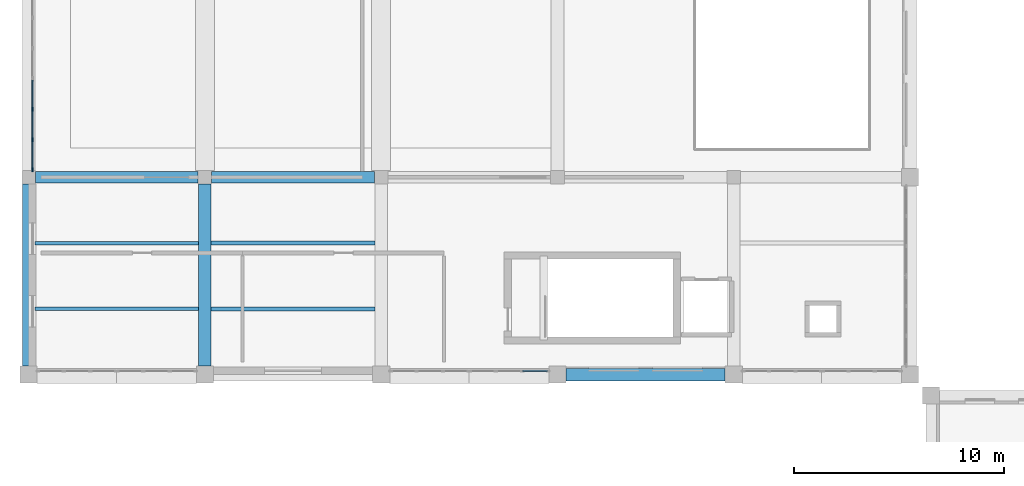
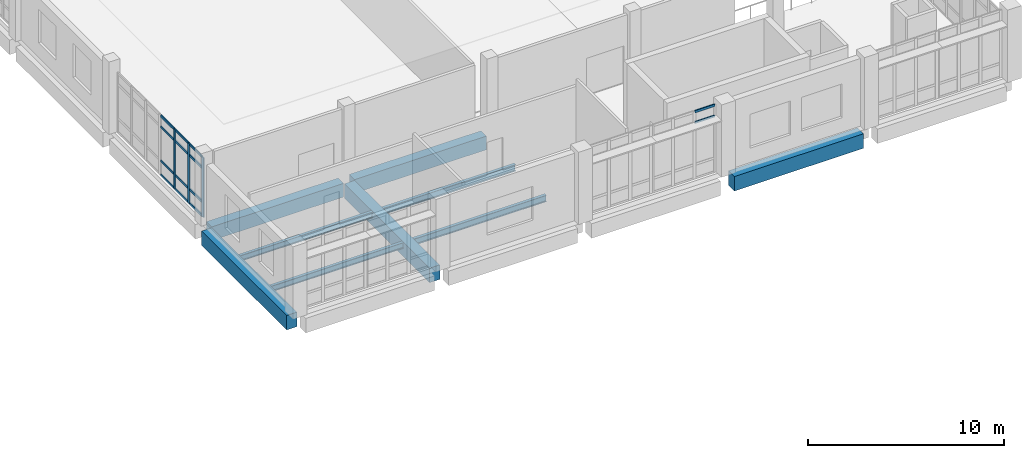
# One storey, part 11 of 54: 17 members, 9 beams, 2 elements without a shape of their own.
"""IFC4 building model written with IfcOpenShell, lengths in metres."""

from ifc_helpers import new_model, si_unit, direction, frame, origin, origin_2d, place, context, subcontext, project, spatial, rectangle, i_section, extrude, material, layer, layer_set, material_profile, profile_set, type_object, element, aggregate, save


model = new_model("IFC4")

# Units and contexts
model_context = context("Model", 3, precision=1e-05, world=origin(), true_north=direction((0.0, 1.0)))
body_context = subcontext(model_context, "Body", "Model", "MODEL_VIEW")
ifc_project = project(units=[si_unit("LENGTHUNIT", "METRE"), si_unit("AREAUNIT", "SQUARE_METRE"), si_unit("VOLUMEUNIT", "CUBIC_METRE"), si_unit("PLANEANGLEUNIT", "RADIAN"), si_unit("MASSUNIT", "GRAM", prefix="KILO")], contexts=[model_context])

# Site, building, storey
site_placement = place(None, origin())
site = spatial("IfcSite", under=ifc_project, at=site_placement, CompositionType="ELEMENT")
building_placement = place(site_placement, origin())
building = spatial("IfcBuilding", under=site, at=building_placement, Name="Kelarvand Opera House", CompositionType="ELEMENT")
storey_placement = place(building_placement, frame((0.0, 0.0, 15.0)))
storey = spatial("IfcBuildingStorey", under=building, at=storey_placement, Name="L03", CompositionType="ELEMENT", Elevation=15.0)

# Curtain wall, members
ifc_material_1 = material(Name="Thermally broken aluminium and low-E glazing", Category="aluminium")
ifc_layer_1 = layer(ifc_material_1, 0.179931640625, Name="Thermally broken aluminium and low-E glazing", Category="aluminium")
ifc_layer_set_1 = layer_set([ifc_layer_1], Name="Thermally broken aluminium and low-E glazing")
curtain_wall_type_1 = type_object("IfcCurtainWallType", Name="Unitised Low-E Curtain Wall 4326x3717 Mod 1350 CWF-20", PredefinedType="USERDEFINED", material=ifc_layer_set_1)
curtain_wall_1_placement = place(storey_placement, origin())
curtain_wall_1 = element("IfcCurtainWall", 1, at=curtain_wall_1_placement, inside=storey, type_object=curtain_wall_type_1, Name="V3 L03 Curtain Wall CWF-20 (97)", ObjectType="UNITISED CURTAIN WALL", PredefinedType="USERDEFINED")
ifc_material_2 = material(Name="Thermally broken anodised aluminium", Category="aluminium")
ifc_material_profile_1 = material_profile(ifc_material_2, rectangle(XDim=0.06494140625, YDim=0.179931640625, at=origin_2d()), Name="ALU MULLION 65x180", Category="aluminium")
ifc_profile_set_1 = profile_set([ifc_material_profile_1], Name="Thermally broken anodised aluminium")
member_type_1 = type_object("IfcMemberType", Name="Curtain Wall Mullion 65x180 Aluminium", PredefinedType="MULLION", material=ifc_profile_set_1)
member_1_placement = place(storey_placement, frame((9.179931640625, 96.967529296875, 0.0), z_axis=(0.0, 0.0, 1.0), x_axis=(-1.0, 0.0, 0.0)))
member_1 = element("IfcMember", 2, at=member_1_placement, type_object=member_type_1, Name="CWF-20 mullion 1", PredefinedType="MULLION", context=body_context, shape_type="SweptSolid", body=[
    extrude(rectangle(XDim=0.06494140625, YDim=0.179931640625, at=origin_2d()), origin(), (0.0, 0.0, 1.0), 3.71728515625),
])
member_2_placement = place(storey_placement, frame((9.179931640625, 98.388671875, 0.0), z_axis=(0.0, 0.0, 1.0), x_axis=(-1.0, 0.0, 0.0)))
member_2 = element("IfcMember", 3, at=member_2_placement, type_object=member_type_1, Name="CWF-20 mullion 2", PredefinedType="MULLION", context=body_context, shape_type="SweptSolid", body=[
    extrude(rectangle(XDim=0.06494140625, YDim=0.179931640625, at=origin_2d()), origin(), (0.0, 0.0, 1.0), 3.71728515625),
])
member_3_placement = place(storey_placement, frame((9.179931640625, 99.84228515625, 0.0), z_axis=(0.0, 0.0, 1.0), x_axis=(-1.0, 0.0, 0.0)))
member_3 = element("IfcMember", 4, at=member_3_placement, type_object=member_type_1, Name="CWF-20 mullion 3", PredefinedType="MULLION", context=body_context, shape_type="SweptSolid", body=[
    extrude(rectangle(XDim=0.06494140625, YDim=0.179931640625, at=origin_2d()), origin(), (0.0, 0.0, 1.0), 3.71728515625),
])
ifc_material_profile_2 = material_profile(ifc_material_2, rectangle(XDim=0.06494140625, YDim=0.139892578125, at=origin_2d()), Name="ALU TRANSOM 65x140", Category="aluminium")
ifc_profile_set_2 = profile_set([ifc_material_profile_2], Name="Thermally broken anodised aluminium")
member_type_2 = type_object("IfcMemberType", Name="Curtain Wall Transom 65x140 Aluminium", PredefinedType="USERDEFINED", material=ifc_profile_set_2)
member_4_placement = place(storey_placement, frame((9.179931640625, 97.0, 0.032470703125), z_axis=(0.0, 1.0, 0.0), x_axis=(-1.0, 0.0, 0.0)))
member_4 = element("IfcMember", 5, at=member_4_placement, type_object=member_type_2, Name="CWF-20 transom 1.1", ObjectType="TRANSOM", PredefinedType="USERDEFINED", context=body_context, shape_type="SweptSolid", body=[
    extrude(rectangle(XDim=0.06494140625, YDim=0.139892578125, at=origin_2d()), origin(), (0.0, 0.0, 1.0), 1.356201171875),
])
member_5_placement = place(storey_placement, frame((9.179931640625, 97.0, 0.89990234375), z_axis=(0.0, 1.0, 0.0), x_axis=(-1.0, 0.0, 0.0)))
member_5 = element("IfcMember", 6, at=member_5_placement, type_object=member_type_2, Name="CWF-20 transom 1.2", ObjectType="TRANSOM", PredefinedType="USERDEFINED", context=body_context, shape_type="SweptSolid", body=[
    extrude(rectangle(XDim=0.06494140625, YDim=0.139892578125, at=origin_2d()), origin(), (0.0, 0.0, 1.0), 1.356201171875),
])
member_6_placement = place(storey_placement, frame((9.179931640625, 97.0, 3.01708984375), z_axis=(0.0, 1.0, 0.0), x_axis=(-1.0, 0.0, 0.0)))
member_6 = element("IfcMember", 7, at=member_6_placement, type_object=member_type_2, Name="CWF-20 transom 1.3", ObjectType="TRANSOM", PredefinedType="USERDEFINED", context=body_context, shape_type="SweptSolid", body=[
    extrude(rectangle(XDim=0.06494140625, YDim=0.139892578125, at=origin_2d()), origin(), (0.0, 0.0, 1.0), 1.356201171875),
])
member_7_placement = place(storey_placement, frame((9.179931640625, 97.0, 3.684814453125), z_axis=(0.0, 1.0, 0.0), x_axis=(-1.0, 0.0, 0.0)))
member_7 = element("IfcMember", 8, at=member_7_placement, type_object=member_type_2, Name="CWF-20 transom 1.4", ObjectType="TRANSOM", PredefinedType="USERDEFINED", context=body_context, shape_type="SweptSolid", body=[
    extrude(rectangle(XDim=0.06494140625, YDim=0.139892578125, at=origin_2d()), origin(), (0.0, 0.0, 1.0), 1.356201171875),
])
member_8_placement = place(storey_placement, frame((9.179931640625, 98.421142578125, 0.032470703125), z_axis=(0.0, 1.0, 0.0), x_axis=(-1.0, 0.0, 0.0)))
member_8 = element("IfcMember", 9, at=member_8_placement, type_object=member_type_2, Name="CWF-20 transom 2.1", ObjectType="TRANSOM", PredefinedType="USERDEFINED", context=body_context, shape_type="SweptSolid", body=[
    extrude(rectangle(XDim=0.06494140625, YDim=0.139892578125, at=origin_2d()), origin(), (0.0, 0.0, 1.0), 1.388671875),
])
member_9_placement = place(storey_placement, frame((9.179931640625, 98.421142578125, 0.89990234375), z_axis=(0.0, 1.0, 0.0), x_axis=(-1.0, 0.0, 0.0)))
member_9 = element("IfcMember", 10, at=member_9_placement, type_object=member_type_2, Name="CWF-20 transom 2.2", ObjectType="TRANSOM", PredefinedType="USERDEFINED", context=body_context, shape_type="SweptSolid", body=[
    extrude(rectangle(XDim=0.06494140625, YDim=0.139892578125, at=origin_2d()), origin(), (0.0, 0.0, 1.0), 1.388671875),
])
member_10_placement = place(storey_placement, frame((9.179931640625, 98.421142578125, 3.01708984375), z_axis=(0.0, 1.0, 0.0), x_axis=(-1.0, 0.0, 0.0)))
member_10 = element("IfcMember", 11, at=member_10_placement, type_object=member_type_2, Name="CWF-20 transom 2.3", ObjectType="TRANSOM", PredefinedType="USERDEFINED", context=body_context, shape_type="SweptSolid", body=[
    extrude(rectangle(XDim=0.06494140625, YDim=0.139892578125, at=origin_2d()), origin(), (0.0, 0.0, 1.0), 1.388671875),
])
member_11_placement = place(storey_placement, frame((9.179931640625, 98.421142578125, 3.684814453125), z_axis=(0.0, 1.0, 0.0), x_axis=(-1.0, 0.0, 0.0)))
member_11 = element("IfcMember", 12, at=member_11_placement, type_object=member_type_2, Name="CWF-20 transom 2.4", ObjectType="TRANSOM", PredefinedType="USERDEFINED", context=body_context, shape_type="SweptSolid", body=[
    extrude(rectangle(XDim=0.06494140625, YDim=0.139892578125, at=origin_2d()), origin(), (0.0, 0.0, 1.0), 1.388671875),
])
member_12_placement = place(storey_placement, frame((9.179931640625, 99.874755859375, 0.032470703125), z_axis=(0.0, 1.0, 0.0), x_axis=(-1.0, 0.0, 0.0)))
member_12 = element("IfcMember", 13, at=member_12_placement, type_object=member_type_2, Name="CWF-20 transom 3.1", ObjectType="TRANSOM", PredefinedType="USERDEFINED", context=body_context, shape_type="SweptSolid", body=[
    extrude(rectangle(XDim=0.06494140625, YDim=0.139892578125, at=origin_2d()), origin(), (0.0, 0.0, 1.0), 1.356201171875),
])
member_13_placement = place(storey_placement, frame((9.179931640625, 99.874755859375, 0.89990234375), z_axis=(0.0, 1.0, 0.0), x_axis=(-1.0, 0.0, 0.0)))
member_13 = element("IfcMember", 14, at=member_13_placement, type_object=member_type_2, Name="CWF-20 transom 3.2", ObjectType="TRANSOM", PredefinedType="USERDEFINED", context=body_context, shape_type="SweptSolid", body=[
    extrude(rectangle(XDim=0.06494140625, YDim=0.139892578125, at=origin_2d()), origin(), (0.0, 0.0, 1.0), 1.356201171875),
])
member_14_placement = place(storey_placement, frame((9.179931640625, 99.874755859375, 3.01708984375), z_axis=(0.0, 1.0, 0.0), x_axis=(-1.0, 0.0, 0.0)))
member_14 = element("IfcMember", 15, at=member_14_placement, type_object=member_type_2, Name="CWF-20 transom 3.3", ObjectType="TRANSOM", PredefinedType="USERDEFINED", context=body_context, shape_type="SweptSolid", body=[
    extrude(rectangle(XDim=0.06494140625, YDim=0.139892578125, at=origin_2d()), origin(), (0.0, 0.0, 1.0), 1.356201171875),
])
member_15_placement = place(storey_placement, frame((9.179931640625, 99.874755859375, 3.684814453125), z_axis=(0.0, 1.0, 0.0), x_axis=(-1.0, 0.0, 0.0)))
member_15 = element("IfcMember", 16, at=member_15_placement, type_object=member_type_2, Name="CWF-20 transom 3.4", ObjectType="TRANSOM", PredefinedType="USERDEFINED", context=body_context, shape_type="SweptSolid", body=[
    extrude(rectangle(XDim=0.06494140625, YDim=0.139892578125, at=origin_2d()), origin(), (0.0, 0.0, 1.0), 1.356201171875),
])
aggregate(curtain_wall_1, [member_1, member_2, member_3, member_4, member_5, member_6, member_7, member_8, member_9, member_10, member_11, member_12, member_13, member_14, member_15])

ifc_layer_2 = layer(ifc_material_1, 0.179931640625, Name="Thermally broken aluminium and low-E glazing", Category="aluminium")
ifc_layer_set_2 = layer_set([ifc_layer_2], Name="Thermally broken aluminium and low-E glazing")
curtain_wall_type_2 = type_object("IfcCurtainWallType", Name="Unitised Low-E Curtain Wall 3776x4200 Mod 1350 CWF-14", PredefinedType="USERDEFINED", material=ifc_layer_set_2)
curtain_wall_2_placement = place(storey_placement, origin())
curtain_wall_2 = element("IfcCurtainWall", 17, at=curtain_wall_2_placement, inside=storey, type_object=curtain_wall_type_2, Name="V3 L03 Curtain Wall CWF-14 (103)", ObjectType="UNITISED CURTAIN WALL", PredefinedType="USERDEFINED")
member_16_placement = place(storey_placement, frame((33.715087890625, 87.3798828125, 3.5), z_axis=(-1.0, 0.0, 0.0), x_axis=(0.0, -1.0, 0.0)))
member_16 = element("IfcMember", 18, at=member_16_placement, type_object=member_type_2, Name="CWF-14 transom 1.3", ObjectType="TRANSOM", PredefinedType="USERDEFINED", context=body_context, shape_type="SweptSolid", body=[
    extrude(rectangle(XDim=0.06494140625, YDim=0.139892578125, at=origin_2d()), origin(), (0.0, 0.0, 1.0), 1.1611328125),
])
member_17_placement = place(storey_placement, frame((33.715087890625, 87.3798828125, 4.16748046875), z_axis=(-1.0, 0.0, 0.0), x_axis=(0.0, -1.0, 0.0)))
member_17 = element("IfcMember", 19, at=member_17_placement, type_object=member_type_2, Name="CWF-14 transom 1.4", ObjectType="TRANSOM", PredefinedType="USERDEFINED", context=body_context, shape_type="SweptSolid", body=[
    extrude(rectangle(XDim=0.06494140625, YDim=0.139892578125, at=origin_2d()), origin(), (0.0, 0.0, 1.0), 1.1611328125),
])
aggregate(curtain_wall_2, [member_16, member_17])

# Beams
ifc_material_3 = material(Name="Concrete C40/50", Category="concrete")
ifc_material_profile_3 = material_profile(ifc_material_3, rectangle(XDim=0.550048828125, YDim=0.85009765625, at=origin_2d()), Name="RC 550x850", Category="concrete")
ifc_profile_set_3 = profile_set([ifc_material_profile_3], Name="Concrete C40/50")
beam_type_1 = type_object("IfcBeamType", Name="Structural Beam RC 550x850 BM-RC550x850", PredefinedType="BEAM", material=ifc_profile_set_3)
for number, where, z_axis, x_axis, name in (
    (20, (9.324951171875, 96.60009765625, -0.72509765625), (1.0, 0.0, 0.0), (0.0, 1.0, 0.0), "V3 L03 Beam BM-RC550x850"),
    (21, (17.72509765625, 96.60009765625, -0.72509765625), (1.0, 0.0, 0.0), (0.0, 1.0, 0.0), "V3 L03 Beam BM-RC550x850"),
):
    element("IfcBeam", number, at=place(storey_placement, frame(where, z_axis=z_axis, x_axis=x_axis)), inside=storey, type_object=beam_type_1, Name=name, PredefinedType="BEAM", context=body_context, shape_type="SweptSolid", body=[
        extrude(rectangle(XDim=0.550048828125, YDim=0.85009765625, at=origin_2d()), origin(), (0.0, 0.0, 1.0), 7.75),
    ])
ifc_material_profile_4 = material_profile(ifc_material_3, rectangle(XDim=0.60009765625, YDim=0.89990234375, at=origin_2d()), Name="RC 600x900", Category="concrete")
ifc_profile_set_4 = profile_set([ifc_material_profile_4], Name="Concrete C40/50")
beam_type_2 = type_object("IfcBeamType", Name="Structural Beam RC 600x900 BM-RC600x900", PredefinedType="BEAM", material=ifc_profile_set_4)
beam_1_placement = place(storey_placement, frame((17.39990234375, 87.610107421875, -0.75), z_axis=(0.0, 1.0, 0.0), x_axis=(-1.0, 0.0, 0.0)))
element("IfcBeam", 22, at=beam_1_placement, inside=storey, type_object=beam_type_2, Name="V3 L03 Beam BM-RC600x900", PredefinedType="BEAM", context=body_context, shape_type="SweptSolid", body=[
    extrude(rectangle(XDim=0.60009765625, YDim=0.89990234375, at=origin_2d()), origin(), (0.0, 0.0, 1.0), 8.664794921875),
])
ifc_material_4 = material(Name="Steel S355", Category="steel")
ifc_material_profile_5 = material_profile(ifc_material_4, i_section(OverallWidth=0.169921875, OverallDepth=0.360107421875, WebThickness=0.008056640625, FlangeThickness=0.0126953125, at=origin_2d()), Name="IPE 360", Category="steel")
ifc_profile_set_5 = profile_set([ifc_material_profile_5], Name="Steel S355")
beam_type_3 = type_object("IfcBeamType", Name="Structural Joist IPE 360 JS-IPE360", PredefinedType="JOIST", material=ifc_profile_set_5)
for number, where, z_axis, x_axis, name in (
    (23, (9.300048828125, 90.333251953125, -0.47998046875), (1.0, 0.0, 0.0), (0.0, 1.0, 0.0), "V3 L03 Beam JS-IPE360"),
    (24, (9.300048828125, 93.466796875, -0.47998046875), (1.0, 0.0, 0.0), (0.0, 1.0, 0.0), "V3 L03 Beam JS-IPE360"),
):
    element("IfcBeam", number, at=place(storey_placement, frame(where, z_axis=z_axis, x_axis=x_axis)), inside=storey, type_object=beam_type_3, Name=name, PredefinedType="JOIST", context=body_context, shape_type="SweptSolid", body=[
        extrude(i_section(OverallWidth=0.169921875, OverallDepth=0.360107421875, WebThickness=0.008056640625, FlangeThickness=0.0126953125, at=origin_2d()), origin(), (0.0, 0.0, 1.0), 7.800048828125),
    ])
ifc_material_profile_6 = material_profile(ifc_material_4, i_section(OverallWidth=0.179931640625, OverallDepth=0.39990234375, WebThickness=0.008544921875, FlangeThickness=0.013427734375, at=origin_2d()), Name="IPE 400", Category="steel")
ifc_profile_set_6 = profile_set([ifc_material_profile_6], Name="Steel S355")
beam_type_4 = type_object("IfcBeamType", Name="Structural Joist IPE 400 JS-IPE400", PredefinedType="JOIST", material=ifc_profile_set_6)
for number, where, z_axis, x_axis, name in (
    (25, (17.699951171875, 90.333251953125, -0.5), (1.0, 0.0, 0.0), (0.0, 1.0, 0.0), "V3 L03 Beam JS-IPE400"),
    (26, (17.699951171875, 93.466796875, -0.5), (1.0, 0.0, 0.0), (0.0, 1.0, 0.0), "V3 L03 Beam JS-IPE400"),
):
    element("IfcBeam", number, at=place(storey_placement, frame(where, z_axis=z_axis, x_axis=x_axis)), inside=storey, type_object=beam_type_4, Name=name, PredefinedType="JOIST", context=body_context, shape_type="SweptSolid", body=[
        extrude(i_section(OverallWidth=0.179931640625, OverallDepth=0.39990234375, WebThickness=0.008544921875, FlangeThickness=0.013427734375, at=origin_2d()), origin(), (0.0, 0.0, 1.0), 7.800048828125),
    ])
ifc_material_profile_7 = material_profile(ifc_material_3, rectangle(XDim=0.60009765625, YDim=0.89990234375, at=origin_2d()), Name="RC 600x900", Category="concrete")
ifc_profile_set_7 = profile_set([ifc_material_profile_7], Name="Concrete C40/50")
beam_type_5 = type_object("IfcBeamType", Name="Structural Spandrel RC 600x900 SP-RC600x900E", PredefinedType="SPANDREL", material=ifc_profile_set_7)
beam_2_placement = place(storey_placement, frame((34.610107421875, 87.199951171875, -0.75), z_axis=(1.0, 0.0, 0.0), x_axis=(0.0, 1.0, 0.0)))
element("IfcBeam", 27, at=beam_2_placement, inside=storey, type_object=beam_type_5, Name="V3 L03 Beam SP-RC600x900E", PredefinedType="SPANDREL", context=body_context, shape_type="SweptSolid", body=[
    extrude(rectangle(XDim=0.60009765625, YDim=0.89990234375, at=origin_2d()), origin(), (0.0, 0.0, 1.0), 7.579833984375),
])
beam_3_placement = place(storey_placement, frame((9.0, 87.610107421875, -0.75), z_axis=(0.0, 1.0, 0.0), x_axis=(-1.0, 0.0, 0.0)))
element("IfcBeam", 28, at=beam_3_placement, inside=storey, type_object=beam_type_5, Name="V3 L03 Beam SP-RC600x900E", PredefinedType="SPANDREL", context=body_context, shape_type="SweptSolid", body=[
    extrude(rectangle(XDim=0.60009765625, YDim=0.89990234375, at=origin_2d()), origin(), (0.0, 0.0, 1.0), 8.664794921875),
])

save(model, "model.ifc")
